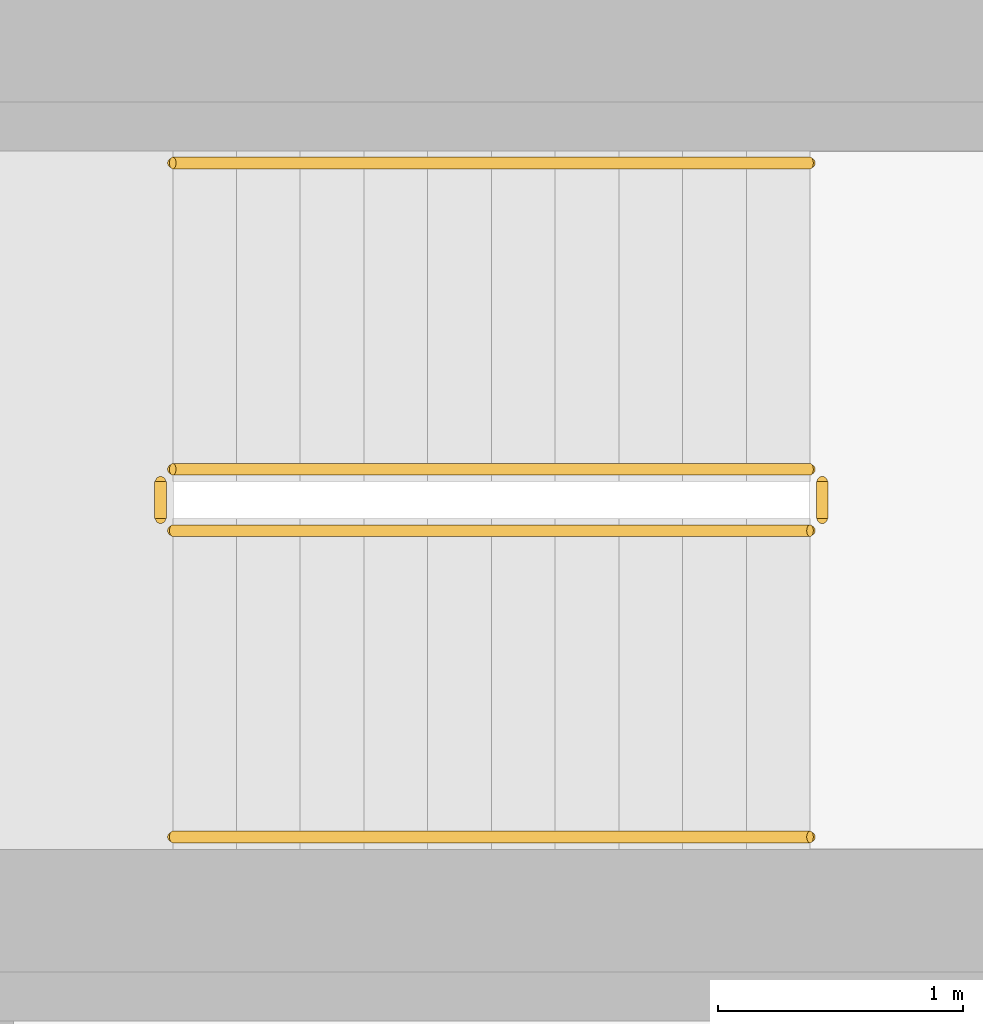
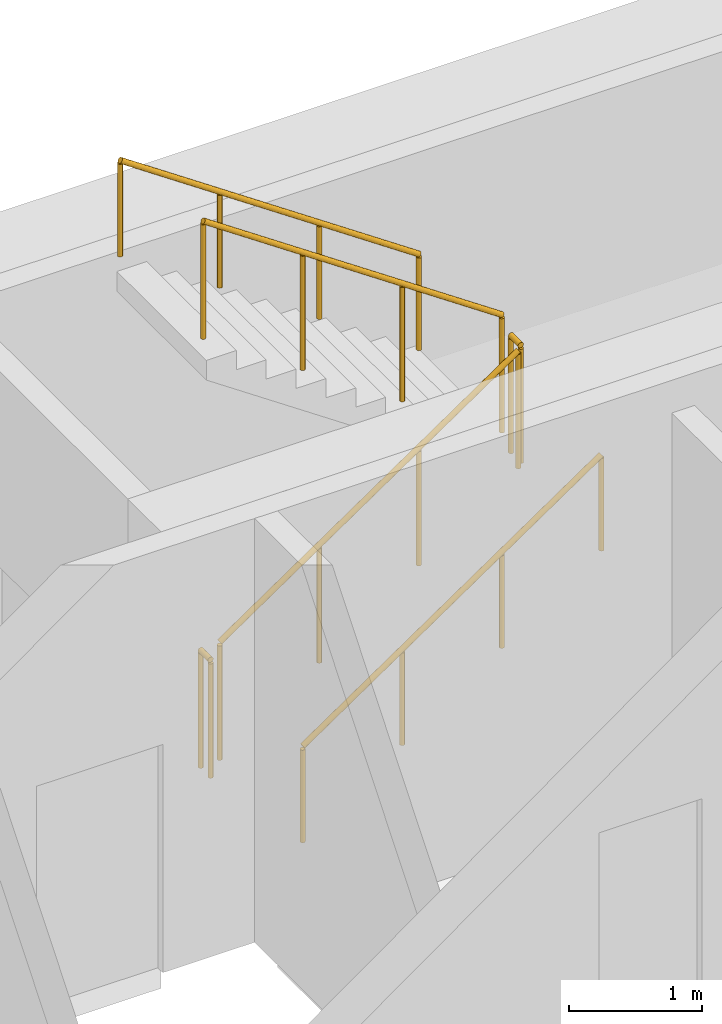
# One storey, part 8 of 8: 6 railings.
"""IFC4 building model written with IfcOpenShell, lengths in metres."""

import ifcopenshell
import ifcopenshell.guid

model = None  # the IFC model being written
_history = None  # IfcOwnerHistory: only IFC2X3 demands one
_inside = {}  # id of a spatial element -> (the spatial element, [elements in it])
_under = {}  # id of a project, library or spatial element -> (it, [spatial elements below it])
_declared = {}  # id of a project -> (the project, [libraries it declares])
_typed = {}  # id of a type object -> (the type object, [elements of that type])
_made_of = {}  # id of a material, layer set ... -> (it, [elements and type objects made of it])


def new_model(schema):
    """Start an empty IFC model of exactly this schema.

    Asked for "IFC4X3", IfcOpenShell would pick the latest addendum, in which some entities
    have other attributes; the version numbers below select the first issue.
    IFC2X3 requires an IfcOwnerHistory on every rooted entity: one is made here for all.
    """
    global model, _history
    if schema == "IFC4X3":
        model = ifcopenshell.file(schema_version=(4, 3, 0, 0))
    else:
        model = ifcopenshell.file(schema=schema)
    _inside.clear()
    _under.clear()
    _declared.clear()
    _typed.clear()
    _made_of.clear()
    _history = None
    if model.schema == "IFC2X3":
        org = make("IfcOrganization", Name="unknown")
        user = make(
            "IfcPersonAndOrganization",
            ThePerson=make("IfcPerson", FamilyName="unknown"),
            TheOrganization=org,
        )
        app = make(
            "IfcApplication",
            ApplicationDeveloper=org,
            Version="unknown",
            ApplicationFullName="unknown",
            ApplicationIdentifier="unknown",
        )
        _history = make(
            "IfcOwnerHistory",
            OwningUser=user,
            OwningApplication=app,
            ChangeAction="ADDED",
            CreationDate=0,
        )
    return model


def make(cls, **values):
    """One entity of the class cls with the attributes given. An attribute that is None is left unset."""
    return model.create_entity(
        cls, **{name: value for name, value in values.items() if value is not None}
    )


def rooted(cls, **values):
    """An entity with a GlobalId (a new one), such as an element, a storey or a relation."""
    return make(cls, GlobalId=ifcopenshell.guid.new(), OwnerHistory=_history, **values)


def si_unit(unit_type, name, prefix=None):
    """IfcSIUnit, for example si_unit("LENGTHUNIT", "METRE", prefix="MILLI")."""
    return make("IfcSIUnit", UnitType=unit_type, Prefix=prefix, Name=name)


def assignment(units):
    """IfcUnitAssignment: the units of a project."""
    return None if units is None else make("IfcUnitAssignment", Units=units)


def point(xyz):
    """IfcCartesianPoint."""
    return None if xyz is None else make("IfcCartesianPoint", Coordinates=xyz)


def direction(xyz):
    """IfcDirection."""
    return None if xyz is None else make("IfcDirection", DirectionRatios=xyz)


def frame(location, z_axis=None, x_axis=None):
    """IfcAxis2Placement3D, a coordinate frame: its origin and axes. An axis left out is left unset."""
    return make(
        "IfcAxis2Placement3D",
        Location=point(location),
        Axis=direction(z_axis),
        RefDirection=direction(x_axis),
    )


def frame_2d(location, x_axis=None):
    """IfcAxis2Placement2D, a coordinate frame in the plane: its origin and x axis."""
    return make(
        "IfcAxis2Placement2D", Location=point(location), RefDirection=direction(x_axis)
    )


def origin():
    """The frame at (0, 0, 0) with its axes left unset."""
    return frame((0.0, 0.0, 0.0))


def origin_2d():
    """The frame at (0, 0) in the plane with its x axis left unset."""
    return frame_2d((0.0, 0.0))


def place(relative_to, where):
    """IfcLocalPlacement: puts the frame where relative to a parent placement (None: the world)."""
    return make(
        "IfcLocalPlacement", PlacementRelTo=relative_to, RelativePlacement=where
    )


def context(
    kind, dimensions, precision=None, world=None, true_north=None, identifier=None
):
    """IfcGeometricRepresentationContext, for example the 3D "Model" context."""
    return make(
        "IfcGeometricRepresentationContext",
        ContextIdentifier=identifier,
        ContextType=kind,
        CoordinateSpaceDimension=dimensions,
        Precision=precision,
        WorldCoordinateSystem=world,
        TrueNorth=true_north,
    )


def subcontext(parent, identifier, kind, view, scale=None):
    """IfcGeometricRepresentationSubContext, for example "Body" below "Model"."""
    return make(
        "IfcGeometricRepresentationSubContext",
        ContextIdentifier=identifier,
        ContextType=kind,
        ParentContext=parent,
        TargetScale=scale,
        TargetView=view,
    )


def project(units=None, contexts=None):
    """IfcProject with its units and contexts."""
    return rooted(
        "IfcProject",
        Name="project",
        RepresentationContexts=contexts,
        UnitsInContext=assignment(units),
    )


def spatial(cls, under=None, at=None, **own):
    """A site, building, storey or space (cls), placed at a placement, below another one or the project."""
    s = rooted(cls, ObjectPlacement=at, **own)
    if under is not None:
        _under.setdefault(under.id(), (under, []))[1].append(s)
    return s


def profile(cls, at=None, kind="AREA", **sizes):
    """A parametric profile (cls). Its sizes go by their IFC names, for example OverallWidth=200.0."""
    return make(cls, ProfileType=kind, Position=at, **sizes)


def circle(**sizes):
    """IfcCircleProfileDef."""
    return profile("IfcCircleProfileDef", **sizes)


def extrude(swept, where, along, depth):
    """IfcExtrudedAreaSolid: the profile swept, set in the frame where, extruded along a direction by depth."""
    return make(
        "IfcExtrudedAreaSolid",
        SweptArea=swept,
        Position=where,
        ExtrudedDirection=direction(along),
        Depth=depth,
    )


def shape(context_of_items, identifier, shape_type, items):
    """IfcShapeRepresentation: the items that make up one representation, for example the "Body"."""
    return make(
        "IfcShapeRepresentation",
        ContextOfItems=context_of_items,
        RepresentationIdentifier=identifier,
        RepresentationType=shape_type,
        Items=items,
    )


def material(Name=None, Category=None):
    """IfcMaterial."""
    return make("IfcMaterial", Name=Name, Category=Category)


def made_of(thing, what):
    """Note that an element or type object is made of a material, layer set ...; save() writes the relation."""
    if what is not None:
        _made_of.setdefault(what.id(), (what, []))[1].append(thing)
    return thing


def type_object(cls, material=None, **own):
    """A type object (cls), such as IfcWallType, which elements share."""
    return made_of(rooted(cls, **own), material)


def element(
    cls,
    number,
    at=None,
    inside=None,
    cuts=None,
    type_object=None,
    material=None,
    context=None,
    identifier="Body",
    shape_type=None,
    held_by="IfcProductDefinitionShape",
    body=None,
    shapes=None,
    **own,
):
    """One element of the class cls, such as IfcWall. Its Tag is "e" and its number.

    at: its placement. inside: the storey or other place that contains it. cuts: it is an
    opening in that element (IfcRelVoidsElement). A single representation is given by context,
    identifier, shape_type and body (its items); several are given by shapes. held_by: the class
    of the entity that holds the representations. save() writes the other relations.
    """
    e = rooted(cls, Tag="e%d" % number, ObjectPlacement=at, **own)
    if body is not None:
        shapes = [shape(context, identifier, shape_type, body)]
    if shapes is not None:
        e.Representation = make(held_by, Representations=shapes)
    if inside is not None:
        _inside.setdefault(inside.id(), (inside, []))[1].append(e)
    if cuts is not None:
        rooted(
            "IfcRelVoidsElement", RelatingBuildingElement=cuts, RelatedOpeningElement=e
        )
    if type_object is not None:
        _typed.setdefault(type_object.id(), (type_object, []))[1].append(e)
    return made_of(e, material)


def aggregate(whole, parts):
    """IfcRelAggregates: a whole, such as a stair, and the parts it consists of."""
    return rooted("IfcRelAggregates", RelatingObject=whole, RelatedObjects=parts)


def save(model, path):
    """Write the relations noted so far, then the file.

    IfcRelAggregates (storeys below a building ...), IfcRelContainedInSpatialStructure (elements
    in a storey), IfcRelDefinesByType, IfcRelAssociatesMaterial and IfcRelDeclares: one each for
    every whole, place, type object, material and project.
    """
    for whole, parts in _under.values():
        aggregate(whole, parts)
    for where, things in _inside.values():
        rooted(
            "IfcRelContainedInSpatialStructure",
            RelatedElements=things,
            RelatingStructure=where,
        )
    for kind, things in _typed.values():
        rooted("IfcRelDefinesByType", RelatedObjects=things, RelatingType=kind)
    for what, things in _made_of.values():
        rooted("IfcRelAssociatesMaterial", RelatedObjects=things, RelatingMaterial=what)
    for by, libraries in _declared.values():
        rooted("IfcRelDeclares", RelatingContext=by, RelatedDefinitions=libraries)
    model.write(path)


model = new_model("IFC4")

# Units and contexts
model_context = context("Model", 3, precision=1e-05, world=origin(), true_north=direction((0.0, 1.0)))
body_context = subcontext(model_context, "Body", "Model", "MODEL_VIEW")
ifc_project = project(units=[si_unit("LENGTHUNIT", "METRE"), si_unit("AREAUNIT", "SQUARE_METRE"), si_unit("VOLUMEUNIT", "CUBIC_METRE"), si_unit("PLANEANGLEUNIT", "RADIAN"), si_unit("MASSUNIT", "GRAM", prefix="KILO")], contexts=[model_context])

# Site, building, storey
site_placement = place(None, origin())
site = spatial("IfcSite", under=ifc_project, at=site_placement, CompositionType="ELEMENT")
building_placement = place(site_placement, origin())
building = spatial("IfcBuilding", under=site, at=building_placement, Name="White Candle Pilgrim Tower", CompositionType="ELEMENT")
storey_placement = place(building_placement, frame((0.0, 0.0, 267.800048828125)))
storey = spatial("IfcBuildingStorey", under=building, at=storey_placement, Name="L63", CompositionType="ELEMENT", Elevation=267.800048828125)

# Railings
ifc_material = material(Name="Stainless steel", Category="steel")
railing_type_1 = type_object("IfcRailingType", Name="Stair guard stainless steel 1100 mm", PredefinedType="GUARDRAIL", material=ifc_material)
railing_1_placement = place(storey_placement, frame((69.39990234375, 85.550048828125, 0.17724609375)))
element("IfcRailing", 1, at=railing_1_placement, inside=storey, type_object=railing_type_1, Name="L63 ST3 stair guard 1", PredefinedType="GUARDRAIL", context=body_context, shape_type="SweptSolid", body=[
    extrude(circle(Radius=0.02392578125, at=origin_2d()), frame((0.0, 0.0, 1.076171875), z_axis=(0.826240473404, 0.0, 0.563317565952), x_axis=(0.0, 1.0, 0.0)), (0.0, 0.0, 1.0), 3.14697265625),
    extrude(circle(Radius=0.02099609375, at=origin_2d()), origin(), (0.0, 0.0, 1.0), 1.052001953125),
    extrude(circle(Radius=0.02099609375, at=origin_2d()), frame((0.86669921875, 0.0, 0.5908203125)), (0.0, 0.0, 1.0), 1.052001953125),
    extrude(circle(Radius=0.02099609375, at=origin_2d()), frame((1.7333984375, 0.0, 1.181884765625)), (0.0, 0.0, 1.0), 1.052001953125),
    extrude(circle(Radius=0.02099609375, at=origin_2d()), frame((2.60009765625, 0.0, 1.772705078125)), (0.0, 0.0, 1.0), 1.052001953125),
])
railing_2_placement = place(storey_placement, frame((72.050048828125, 85.60009765625, 1.949951171875)))
element("IfcRailing", 2, at=railing_2_placement, inside=storey, type_object=railing_type_1, Name="L63 ST3 stair guard 2", PredefinedType="GUARDRAIL", context=body_context, shape_type="SweptSolid", body=[
    extrude(circle(Radius=0.02392578125, at=origin_2d()), frame((0.0, 0.0, 1.076171875), z_axis=(0.0, 1.0, 0.0), x_axis=(-1.0, 0.0, 0.0)), (0.0, 0.0, 1.0), 0.14990234375),
    extrude(circle(Radius=0.02099609375, at=origin_2d()), origin(), (0.0, 0.0, 1.0), 1.052001953125),
    extrude(circle(Radius=0.02099609375, at=origin_2d()), frame((0.0, 0.14990234375, 0.0)), (0.0, 0.0, 1.0), 1.052001953125),
])
railing_3_placement = place(storey_placement, frame((72.0, 85.800048828125, 2.127197265625)))
element("IfcRailing", 3, at=railing_3_placement, inside=storey, type_object=railing_type_1, Name="L63 ST3 stair guard 3", PredefinedType="GUARDRAIL", context=body_context, shape_type="SweptSolid", body=[
    extrude(circle(Radius=0.02392578125, at=origin_2d()), frame((0.0, 0.0, 1.076171875), z_axis=(-0.826240473404, 0.0, 0.563317565952), x_axis=(0.0, -1.0, 0.0)), (0.0, 0.0, 1.0), 3.14697265625),
    extrude(circle(Radius=0.02099609375, at=origin_2d()), origin(), (0.0, 0.0, 1.0), 1.052001953125),
    extrude(circle(Radius=0.02099609375, at=origin_2d()), frame((-0.86669921875, 0.0, 0.5908203125)), (0.0, 0.0, 1.0), 1.052001953125),
    extrude(circle(Radius=0.02099609375, at=origin_2d()), frame((-1.7333984375, 0.0, 1.181884765625)), (0.0, 0.0, 1.0), 1.052001953125),
    extrude(circle(Radius=0.02099609375, at=origin_2d()), frame((-2.60009765625, 0.0, 1.772705078125)), (0.0, 0.0, 1.0), 1.052001953125),
])
railing_4_placement = place(storey_placement, frame((69.35009765625, 85.60009765625, 0.0)))
element("IfcRailing", 4, at=railing_4_placement, inside=storey, type_object=railing_type_1, Name="L63 ST3 stair guard 4", PredefinedType="GUARDRAIL", context=body_context, shape_type="SweptSolid", body=[
    extrude(circle(Radius=0.02392578125, at=origin_2d()), frame((0.0, 0.0, 1.076171875), z_axis=(0.0, 1.0, 0.0), x_axis=(-1.0, 0.0, 0.0)), (0.0, 0.0, 1.0), 0.14990234375),
    extrude(circle(Radius=0.02099609375, at=origin_2d()), origin(), (0.0, 0.0, 1.0), 1.052001953125),
    extrude(circle(Radius=0.02099609375, at=origin_2d()), frame((0.0, 0.14990234375, 0.0)), (0.0, 0.0, 1.0), 1.052001953125),
])
railing_type_2 = type_object("IfcRailingType", Name="Stair handrail stainless steel", PredefinedType="HANDRAIL", material=ifc_material)
railing_5_placement = place(storey_placement, frame((69.39990234375, 84.300048828125, 0.17724609375)))
element("IfcRailing", 5, at=railing_5_placement, inside=storey, type_object=railing_type_2, Name="L63 ST3 stair handrail 1", PredefinedType="HANDRAIL", context=body_context, shape_type="SweptSolid", body=[
    extrude(circle(Radius=0.02392578125, at=origin_2d()), frame((0.0, 0.0, 0.8759765625), z_axis=(0.826240473404, 0.0, 0.563317565952), x_axis=(0.0, 1.0, 0.0)), (0.0, 0.0, 1.0), 3.14697265625),
    extrude(circle(Radius=0.02099609375, at=origin_2d()), origin(), (0.0, 0.0, 1.0), 0.851806640625),
    extrude(circle(Radius=0.02099609375, at=origin_2d()), frame((0.86669921875, 0.0, 0.5908203125)), (0.0, 0.0, 1.0), 0.851806640625),
    extrude(circle(Radius=0.02099609375, at=origin_2d()), frame((1.7333984375, 0.0, 1.181884765625)), (0.0, 0.0, 1.0), 0.851806640625),
    extrude(circle(Radius=0.02099609375, at=origin_2d()), frame((2.60009765625, 0.0, 1.772705078125)), (0.0, 0.0, 1.0), 0.851806640625),
])
railing_6_placement = place(storey_placement, frame((72.0, 87.050048828125, 2.127197265625)))
element("IfcRailing", 6, at=railing_6_placement, inside=storey, type_object=railing_type_2, Name="L63 ST3 stair handrail 2", PredefinedType="HANDRAIL", context=body_context, shape_type="SweptSolid", body=[
    extrude(circle(Radius=0.02392578125, at=origin_2d()), frame((0.0, 0.0, 0.8759765625), z_axis=(-0.826240473404, 0.0, 0.563317565952), x_axis=(0.0, -1.0, 0.0)), (0.0, 0.0, 1.0), 3.14697265625),
    extrude(circle(Radius=0.02099609375, at=origin_2d()), origin(), (0.0, 0.0, 1.0), 0.851806640625),
    extrude(circle(Radius=0.02099609375, at=origin_2d()), frame((-0.86669921875, 0.0, 0.5908203125)), (0.0, 0.0, 1.0), 0.851806640625),
    extrude(circle(Radius=0.02099609375, at=origin_2d()), frame((-1.7333984375, 0.0, 1.181884765625)), (0.0, 0.0, 1.0), 0.851806640625),
    extrude(circle(Radius=0.02099609375, at=origin_2d()), frame((-2.60009765625, 0.0, 1.772705078125)), (0.0, 0.0, 1.0), 0.851806640625),
])

save(model, "model.ifc")
